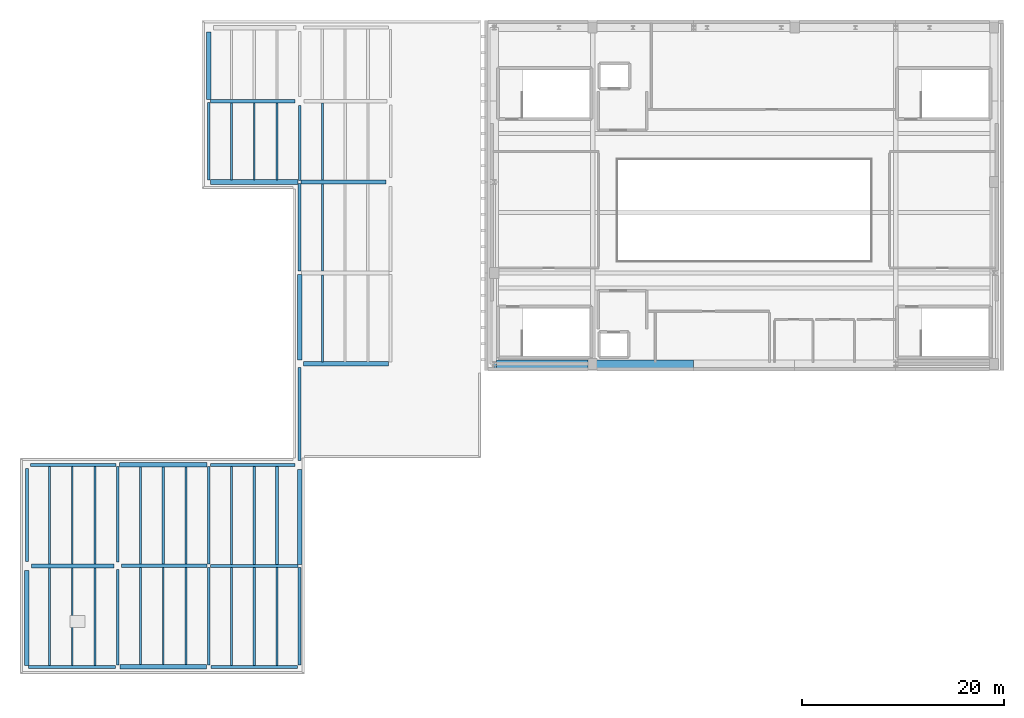
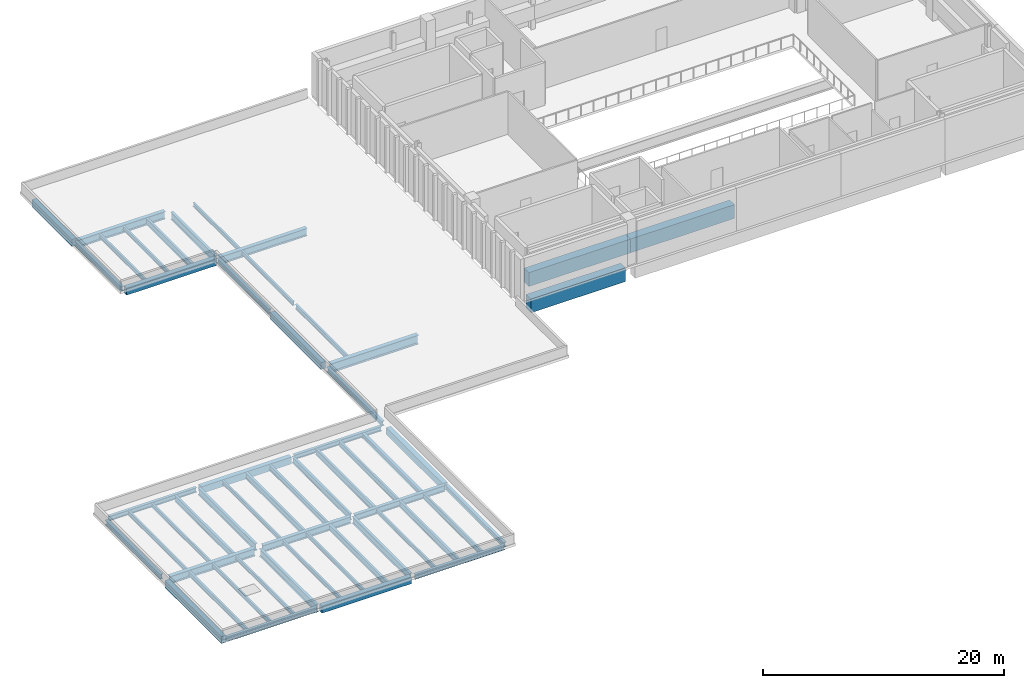
# One storey, part 3 of 8: 54 beams.
"""IFC4 building model written with IfcOpenShell, lengths in metres."""

from ifc_helpers import new_model, si_unit, direction, frame, origin, origin_2d, place, context, subcontext, project, spatial, rectangle, i_section, extrude, material, material_profile, profile_set, type_object, element, save


model = new_model("IFC4")

# Units and contexts
model_context = context("Model", 3, precision=1e-05, world=origin(), true_north=direction((0.0, 1.0)))
body_context = subcontext(model_context, "Body", "Model", "MODEL_VIEW")
ifc_project = project(units=[si_unit("LENGTHUNIT", "METRE"), si_unit("AREAUNIT", "SQUARE_METRE"), si_unit("VOLUMEUNIT", "CUBIC_METRE"), si_unit("PLANEANGLEUNIT", "RADIAN"), si_unit("MASSUNIT", "GRAM", prefix="KILO")], contexts=[model_context])

# Site, building, storey
site_placement = place(None, origin())
site = spatial("IfcSite", under=ifc_project, at=site_placement, CompositionType="ELEMENT")
building_placement = place(site_placement, origin())
building = spatial("IfcBuilding", under=site, at=building_placement, Name="Trimount Lyric Opera House", CompositionType="ELEMENT")
storey_placement = place(building_placement, frame((0.0, 0.0, 29.60009765625)))
storey = spatial("IfcBuildingStorey", under=building, at=storey_placement, Name="L06", CompositionType="ELEMENT", Elevation=29.60009765625)

# Beams
ifc_material_1 = material(Name="Steel ASTM A992 Grade 50", Category="steel")
ifc_material_profile_1 = material_profile(ifc_material_1, i_section(OverallWidth=0.4189453125, OverallDepth=0.927001953125, WebThickness=0.019287109375, FlangeThickness=0.031982421875, FilletRadius=0.02392578125, at=origin_2d()), Name="W36X231")
ifc_profile_set_1 = profile_set([ifc_material_profile_1], Name="Steel ASTM A992 Grade 50")
beam_type_1 = type_object("IfcBeamType", Name="B-02", PredefinedType="BEAM", material=ifc_profile_set_1)
beam_1_placement = place(storey_placement, frame((45.375, 84.0, -0.733642578125), z_axis=(1.0, 0.0, 0.0), x_axis=(0.0, 1.0, 0.0)))
element("IfcBeam", 1, at=beam_1_placement, inside=storey, type_object=beam_type_1, Name="L06 girder X-1347", PredefinedType="BEAM", context=body_context, shape_type="SweptSolid", body=[
    extrude(i_section(OverallWidth=0.4189453125, OverallDepth=0.927001953125, WebThickness=0.019287109375, FlangeThickness=0.031982421875, FilletRadius=0.02392578125, at=origin_2d()), origin(), (0.0, 0.0, 1.0), 8.44091796875),
])
ifc_material_2 = material(Name="Steel ASTM A992 Grade 50", Category="steel")
ifc_material_profile_2 = material_profile(ifc_material_2, i_section(OverallWidth=0.382080078125, OverallDepth=0.779052734375, WebThickness=0.01806640625, FlangeThickness=0.0302734375, FilletRadius=0.01904296875, at=origin_2d()), Name="W30X191")
ifc_profile_set_2 = profile_set([ifc_material_profile_2], Name="Steel ASTM A992 Grade 50")
beam_type_2 = type_object("IfcBeamType", Name="B-06", PredefinedType="BEAM", material=ifc_profile_set_2)
beam_2_placement = place(storey_placement, frame((18.449951171875, 64.0, -0.65966796875), z_axis=(1.0, 0.0, 0.0), x_axis=(0.0, 1.0, 0.0)))
element("IfcBeam", 2, at=beam_2_placement, inside=storey, type_object=beam_type_2, Name="L06 girder X-1341", PredefinedType="BEAM", context=body_context, shape_type="SweptSolid", body=[
    extrude(i_section(OverallWidth=0.382080078125, OverallDepth=0.779052734375, WebThickness=0.01806640625, FlangeThickness=0.0302734375, FilletRadius=0.01904296875, at=origin_2d()), origin(), (0.0, 0.0, 1.0), 8.175048828125),
])
for number, where, z_axis, x_axis, name in (
    (3, (45.152587890625, 102.0, -0.65966796875), (1.0, 0.0, 0.0), (0.0, 1.0, 0.0), "L06 girder X-1354"),
    (4, (36.152587890625, 110.0, -0.65966796875), (1.0, 0.0, 0.0), (0.0, 1.0, 0.0), "L06 girder X-1355"),
):
    element("IfcBeam", number, at=place(storey_placement, frame(where, z_axis=z_axis, x_axis=x_axis)), inside=storey, type_object=beam_type_2, Name=name, PredefinedType="BEAM", context=body_context, shape_type="SweptSolid", body=[
        extrude(i_section(OverallWidth=0.382080078125, OverallDepth=0.779052734375, WebThickness=0.01806640625, FlangeThickness=0.0302734375, FilletRadius=0.01904296875, at=origin_2d()), origin(), (0.0, 0.0, 1.0), 8.3974609375),
    ])
ifc_material_3 = material(Name="Steel ASTM A992 Grade 50", Category="steel")
ifc_material_profile_3 = material_profile(ifc_material_3, i_section(OverallWidth=0.26708984375, OverallDepth=0.761962890625, WebThickness=0.014404296875, FlangeThickness=0.021484375, FilletRadius=0.01708984375, at=origin_2d()), Name="W30X116")
ifc_profile_set_3 = profile_set([ifc_material_profile_3], Name="Steel ASTM A992 Grade 50")
beam_type_3 = type_object("IfcBeamType", Name="B-07", PredefinedType="BEAM", material=ifc_profile_set_3)
beam_3_placement = place(storey_placement, frame((27.0, 54.203125, -0.651123046875), z_axis=(0.0, 1.0, 0.0), x_axis=(-1.0, 0.0, 0.0)))
element("IfcBeam", 5, at=beam_3_placement, inside=storey, type_object=beam_type_3, Name="L06 girder Y-1366", PredefinedType="BEAM", context=body_context, shape_type="SweptSolid", body=[
    extrude(i_section(OverallWidth=0.26708984375, OverallDepth=0.761962890625, WebThickness=0.014404296875, FlangeThickness=0.021484375, FilletRadius=0.01708984375, at=origin_2d()), origin(), (0.0, 0.0, 1.0), 9.421875),
])
beam_4_placement = place(storey_placement, frame((45.0, 102.153564453125, -0.651123046875), z_axis=(0.0, 1.0, 0.0), x_axis=(-1.0, 0.0, 0.0)))
element("IfcBeam", 6, at=beam_4_placement, inside=storey, type_object=beam_type_3, Name="L06 girder Y-1377", PredefinedType="BEAM", context=body_context, shape_type="SweptSolid", body=[
    extrude(i_section(OverallWidth=0.26708984375, OverallDepth=0.761962890625, WebThickness=0.014404296875, FlangeThickness=0.021484375, FilletRadius=0.01708984375, at=origin_2d()), origin(), (0.0, 0.0, 1.0), 7.396484375),
])
ifc_material_4 = material(Name="Steel ASTM A992 Grade 50", Category="steel")
ifc_material_profile_4 = material_profile(ifc_material_4, i_section(OverallWidth=0.35595703125, OverallDepth=0.700927734375, WebThickness=0.016845703125, FlangeThickness=0.02734375, FilletRadius=0.01806640625, at=origin_2d()), Name="W27X161")
ifc_profile_set_4 = profile_set([ifc_material_profile_4], Name="Steel ASTM A992 Grade 50")
beam_type_4 = type_object("IfcBeamType", Name="B-08", PredefinedType="BEAM", material=ifc_profile_set_4)
beam_5_placement = place(storey_placement, frame((27.375, 64.0, -0.62060546875), z_axis=(1.0, 0.0, 0.0), x_axis=(0.0, 1.0, 0.0)))
element("IfcBeam", 7, at=beam_5_placement, inside=storey, type_object=beam_type_4, Name="L06 girder X-1342", PredefinedType="BEAM", context=body_context, shape_type="SweptSolid", body=[
    extrude(i_section(OverallWidth=0.35595703125, OverallDepth=0.700927734375, WebThickness=0.016845703125, FlangeThickness=0.02734375, FilletRadius=0.01806640625, at=origin_2d()), origin(), (0.0, 0.0, 1.0), 8.44091796875),
])
ifc_material_5 = material(Name="Steel ASTM A992 Grade 50", Category="steel")
ifc_material_profile_5 = material_profile(ifc_material_5, i_section(OverallWidth=0.25390625, OverallDepth=0.68798828125, WebThickness=0.01318359375, FlangeThickness=0.02099609375, FilletRadius=0.01611328125, at=origin_2d()), Name="W27X102")
ifc_profile_set_5 = profile_set([ifc_material_profile_5], Name="Steel ASTM A992 Grade 50")
beam_type_5 = type_object("IfcBeamType", Name="B-09", PredefinedType="BEAM", material=ifc_profile_set_5)
beam_6_placement = place(storey_placement, frame((27.0, 64.375, -0.614013671875), z_axis=(0.0, 1.0, 0.0), x_axis=(-1.0, 0.0, 0.0)))
element("IfcBeam", 8, at=beam_6_placement, inside=storey, type_object=beam_type_5, Name="L06 girder Y-1367", PredefinedType="BEAM", context=body_context, shape_type="SweptSolid", body=[
    extrude(i_section(OverallWidth=0.25390625, OverallDepth=0.68798828125, WebThickness=0.01318359375, FlangeThickness=0.02099609375, FilletRadius=0.01611328125, at=origin_2d()), origin(), (0.0, 0.0, 1.0), 9.447021484375),
])
beam_7_placement = place(storey_placement, frame((36.0, 54.20849609375, -0.614013671875), z_axis=(0.0, 1.0, 0.0), x_axis=(-1.0, 0.0, 0.0)))
element("IfcBeam", 9, at=beam_7_placement, inside=storey, type_object=beam_type_5, Name="L06 girder Y-1368", PredefinedType="BEAM", context=body_context, shape_type="SweptSolid", body=[
    extrude(i_section(OverallWidth=0.25390625, OverallDepth=0.68798828125, WebThickness=0.01318359375, FlangeThickness=0.02099609375, FilletRadius=0.01611328125, at=origin_2d()), origin(), (0.0, 0.0, 1.0), 9.613525390625),
])
ifc_material_6 = material(Name="Steel ASTM A992 Grade 50", Category="steel")
ifc_material_profile_6 = material_profile(ifc_material_6, i_section(OverallWidth=0.327880859375, OverallDepth=0.626953125, WebThickness=0.0166015625, FlangeThickness=0.027587890625, FilletRadius=0.01611328125, at=origin_2d()), Name="W24X146")
ifc_profile_set_6 = profile_set([ifc_material_profile_6], Name="Steel ASTM A992 Grade 50")
beam_type_6 = type_object("IfcBeamType", Name="B-10", PredefinedType="BEAM", material=ifc_profile_set_6)
beam_8_placement = place(storey_placement, frame((36.18408203125, 64.0, -0.58349609375), z_axis=(1.0, 0.0, 0.0), x_axis=(0.0, 1.0, 0.0)))
element("IfcBeam", 10, at=beam_8_placement, inside=storey, type_object=beam_type_6, Name="L06 girder X-1343", PredefinedType="BEAM", context=body_context, shape_type="SweptSolid", body=[
    extrude(i_section(OverallWidth=0.327880859375, OverallDepth=0.626953125, WebThickness=0.0166015625, FlangeThickness=0.027587890625, FilletRadius=0.01611328125, at=origin_2d()), origin(), (0.0, 0.0, 1.0), 8.663330078125),
])
ifc_material_7 = material(Name="Steel ASTM A992 Grade 50", Category="steel")
ifc_material_profile_7 = material_profile(ifc_material_7, i_section(OverallWidth=0.22998046875, OverallDepth=0.616943359375, WebThickness=0.01318359375, FlangeThickness=0.022216796875, FilletRadius=0.013916015625, at=origin_2d()), Name="W24X94")
ifc_profile_set_7 = profile_set([ifc_material_profile_7], Name="Steel ASTM A992 Grade 50")
beam_type_7 = type_object("IfcBeamType", Name="B-11", PredefinedType="BEAM", material=ifc_profile_set_7)
beam_9_placement = place(storey_placement, frame((36.0, 64.177978515625, -0.57861328125), z_axis=(0.0, 1.0, 0.0), x_axis=(-1.0, 0.0, 0.0)))
element("IfcBeam", 11, at=beam_9_placement, inside=storey, type_object=beam_type_7, Name="L06 girder Y-1369", PredefinedType="BEAM", context=body_context, shape_type="SweptSolid", body=[
    extrude(i_section(OverallWidth=0.22998046875, OverallDepth=0.616943359375, WebThickness=0.01318359375, FlangeThickness=0.022216796875, FilletRadius=0.013916015625, at=origin_2d()), origin(), (0.0, 0.0, 1.0), 9.66845703125),
])
ifc_material_8 = material(Name="Steel ASTM A992 Grade 50", Category="steel")
ifc_material_profile_8 = material_profile(ifc_material_8, i_section(OverallWidth=0.22802734375, OverallDepth=0.60205078125, WebThickness=0.010498046875, FlangeThickness=0.014892578125, FilletRadius=0.012939453125, at=origin_2d()), Name="W24X68")
ifc_profile_set_8 = profile_set([ifc_material_profile_8], Name="Steel ASTM A992 Grade 50")
beam_type_8 = type_object("IfcBeamType", Name="J-01", PredefinedType="BEAM", material=ifc_profile_set_8)
beam_10_placement = place(storey_placement, frame((24.75, 64.18701171875, -0.571044921875), z_axis=(0.0, 1.0, 0.0), x_axis=(-1.0, 0.0, 0.0)))
element("IfcBeam", 12, at=beam_10_placement, inside=storey, type_object=beam_type_8, Name="L06 composite floor joist 1306", PredefinedType="BEAM", context=body_context, shape_type="SweptSolid", body=[
    extrude(i_section(OverallWidth=0.22802734375, OverallDepth=0.60205078125, WebThickness=0.010498046875, FlangeThickness=0.014892578125, FilletRadius=0.012939453125, at=origin_2d()), origin(), (0.0, 0.0, 1.0), 9.676025390625),
])
for number, where, z_axis, x_axis, name in (
    (13, (33.75, 54.220947265625, -0.571044921875), (0.0, 1.0, 0.0), (-1.0, 0.0, 0.0), "L06 composite floor joist 1309"),
    (14, (31.5, 64.174072265625, -0.571044921875), (0.0, 1.0, 0.0), (-1.0, 0.0, 0.0), "L06 composite floor joist 1311"),
):
    element("IfcBeam", number, at=place(storey_placement, frame(where, z_axis=z_axis, x_axis=x_axis)), inside=storey, type_object=beam_type_8, Name=name, PredefinedType="BEAM", context=body_context, shape_type="SweptSolid", body=[
        extrude(i_section(OverallWidth=0.22802734375, OverallDepth=0.60205078125, WebThickness=0.010498046875, FlangeThickness=0.014892578125, FilletRadius=0.012939453125, at=origin_2d()), origin(), (0.0, 0.0, 1.0), 9.60498046875),
    ])
for number, where, z_axis, x_axis, name in (
    (15, (40.5, 54.136962890625, -0.571044921875), (0.0, 1.0, 0.0), (-1.0, 0.0, 0.0), "L06 composite floor joist 1314"),
    (16, (38.25, 64.159912109375, -0.571044921875), (0.0, 1.0, 0.0), (-1.0, 0.0, 0.0), "L06 composite floor joist 1316"),
):
    element("IfcBeam", number, at=place(storey_placement, frame(where, z_axis=z_axis, x_axis=x_axis)), inside=storey, type_object=beam_type_8, Name=name, PredefinedType="BEAM", context=body_context, shape_type="SweptSolid", body=[
        extrude(i_section(OverallWidth=0.22802734375, OverallDepth=0.60205078125, WebThickness=0.010498046875, FlangeThickness=0.014892578125, FilletRadius=0.012939453125, at=origin_2d()), origin(), (0.0, 0.0, 1.0), 9.703125),
    ])
beam_11_placement = place(storey_placement, frame((42.75, 102.220947265625, -0.571044921875), z_axis=(0.0, 1.0, 0.0), x_axis=(-1.0, 0.0, 0.0)))
element("IfcBeam", 17, at=beam_11_placement, inside=storey, type_object=beam_type_8, Name="L06 composite floor joist 1321", PredefinedType="BEAM", context=body_context, shape_type="SweptSolid", body=[
    extrude(i_section(OverallWidth=0.22802734375, OverallDepth=0.60205078125, WebThickness=0.010498046875, FlangeThickness=0.014892578125, FilletRadius=0.012939453125, at=origin_2d()), origin(), (0.0, 0.0, 1.0), 7.592041015625),
])
ifc_material_9 = material(Name="Steel ASTM A992 Grade 50", Category="steel")
ifc_material_profile_9 = material_profile(ifc_material_9, i_section(OverallWidth=0.2099609375, OverallDepth=0.532958984375, WebThickness=0.01025390625, FlangeThickness=0.015625, FilletRadius=0.012939453125, at=origin_2d()), Name="W21X62")
ifc_profile_set_9 = profile_set([ifc_material_profile_9], Name="Steel ASTM A992 Grade 50")
beam_type_9 = type_object("IfcBeamType", Name="J-02", PredefinedType="BEAM", material=ifc_profile_set_9)
beam_12_placement = place(storey_placement, frame((33.75, 64.174072265625, -0.53662109375), z_axis=(0.0, 1.0, 0.0), x_axis=(-1.0, 0.0, 0.0)))
element("IfcBeam", 18, at=beam_12_placement, inside=storey, type_object=beam_type_9, Name="L06 composite floor joist 1312", PredefinedType="BEAM", context=body_context, shape_type="SweptSolid", body=[
    extrude(i_section(OverallWidth=0.2099609375, OverallDepth=0.532958984375, WebThickness=0.01025390625, FlangeThickness=0.015625, FilletRadius=0.012939453125, at=origin_2d()), origin(), (0.0, 0.0, 1.0), 9.60498046875),
])
for number, where, z_axis, x_axis, name in (
    (19, (42.75, 54.136962890625, -0.53662109375), (0.0, 1.0, 0.0), (-1.0, 0.0, 0.0), "L06 composite floor joist 1315"),
    (20, (40.5, 64.159912109375, -0.53662109375), (0.0, 1.0, 0.0), (-1.0, 0.0, 0.0), "L06 composite floor joist 1317"),
):
    element("IfcBeam", number, at=place(storey_placement, frame(where, z_axis=z_axis, x_axis=x_axis)), inside=storey, type_object=beam_type_9, Name=name, PredefinedType="BEAM", context=body_context, shape_type="SweptSolid", body=[
        extrude(i_section(OverallWidth=0.2099609375, OverallDepth=0.532958984375, WebThickness=0.01025390625, FlangeThickness=0.015625, FilletRadius=0.012939453125, at=origin_2d()), origin(), (0.0, 0.0, 1.0), 9.703125),
    ])
ifc_material_10 = material(Name="Steel ASTM A992 Grade 50", Category="steel")
ifc_material_profile_10 = material_profile(ifc_material_10, i_section(OverallWidth=0.281982421875, OverallDepth=0.467041015625, WebThickness=0.01220703125, FlangeThickness=0.01953125, FilletRadius=0.012939453125, at=origin_2d()), Name="W18X86")
ifc_profile_set_10 = profile_set([ifc_material_profile_10], Name="Steel ASTM A992 Grade 50")
beam_type_10 = type_object("IfcBeamType", Name="J-03", PredefinedType="BEAM", material=ifc_profile_set_10)
beam_13_placement = place(storey_placement, frame((42.75, 64.159912109375, -0.503662109375), z_axis=(0.0, 1.0, 0.0), x_axis=(-1.0, 0.0, 0.0)))
element("IfcBeam", 21, at=beam_13_placement, inside=storey, type_object=beam_type_10, Name="L06 composite floor joist 1318", PredefinedType="BEAM", context=body_context, shape_type="SweptSolid", body=[
    extrude(i_section(OverallWidth=0.281982421875, OverallDepth=0.467041015625, WebThickness=0.01220703125, FlangeThickness=0.01953125, FilletRadius=0.012939453125, at=origin_2d()), origin(), (0.0, 0.0, 1.0), 9.703125),
])
ifc_material_11 = material(Name="Steel ASTM A992 Grade 50", Category="steel")
ifc_material_profile_11 = material_profile(ifc_material_11, i_section(OverallWidth=0.19091796875, OverallDepth=0.45703125, WebThickness=0.009033203125, FlangeThickness=0.014404296875, FilletRadius=0.010986328125, at=origin_2d()), Name="W18X50")
ifc_profile_set_11 = profile_set([ifc_material_profile_11], Name="Steel ASTM A992 Grade 50")
beam_type_11 = type_object("IfcBeamType", Name="J-04", PredefinedType="BEAM", material=ifc_profile_set_11)
beam_14_placement = place(storey_placement, frame((20.25, 54.136962890625, -0.49853515625), z_axis=(0.0, 1.0, 0.0), x_axis=(-1.0, 0.0, 0.0)))
element("IfcBeam", 22, at=beam_14_placement, inside=storey, type_object=beam_type_11, Name="L06 composite floor joist 1301", PredefinedType="BEAM", context=body_context, shape_type="SweptSolid", body=[
    extrude(i_section(OverallWidth=0.19091796875, OverallDepth=0.45703125, WebThickness=0.009033203125, FlangeThickness=0.014404296875, FilletRadius=0.010986328125, at=origin_2d()), origin(), (0.0, 0.0, 1.0), 9.676025390625),
])
beam_15_placement = place(storey_placement, frame((47.25, 84.20556640625, -0.49853515625), z_axis=(0.0, 1.0, 0.0), x_axis=(-1.0, 0.0, 0.0)))
element("IfcBeam", 23, at=beam_15_placement, inside=storey, type_object=beam_type_11, Name="L06 composite floor joist 1325", PredefinedType="BEAM", context=body_context, shape_type="SweptSolid", body=[
    extrude(i_section(OverallWidth=0.19091796875, OverallDepth=0.45703125, WebThickness=0.009033203125, FlangeThickness=0.014404296875, FilletRadius=0.010986328125, at=origin_2d()), origin(), (0.0, 0.0, 1.0), 8.597900390625),
])
ifc_material_12 = material(Name="Steel ASTM A992 Grade 50", Category="steel")
ifc_material_profile_12 = material_profile(ifc_material_12, i_section(OverallWidth=0.180908203125, OverallDepth=0.4169921875, WebThickness=0.010986328125, FlangeThickness=0.018310546875, FilletRadius=0.010986328125, at=origin_2d()), Name="W16X57")
ifc_profile_set_12 = profile_set([ifc_material_profile_12], Name="Steel ASTM A992 Grade 50")
beam_type_12 = type_object("IfcBeamType", Name="J-05", PredefinedType="BEAM", material=ifc_profile_set_12)
for number, where, z_axis, x_axis, name in (
    (24, (22.5, 54.136962890625, -0.478515625), (0.0, 1.0, 0.0), (-1.0, 0.0, 0.0), "L06 composite floor joist 1302"),
    (25, (20.25, 64.18701171875, -0.478515625), (0.0, 1.0, 0.0), (-1.0, 0.0, 0.0), "L06 composite floor joist 1304"),
):
    element("IfcBeam", number, at=place(storey_placement, frame(where, z_axis=z_axis, x_axis=x_axis)), inside=storey, type_object=beam_type_12, Name=name, PredefinedType="BEAM", context=body_context, shape_type="SweptSolid", body=[
        extrude(i_section(OverallWidth=0.180908203125, OverallDepth=0.4169921875, WebThickness=0.010986328125, FlangeThickness=0.018310546875, FilletRadius=0.010986328125, at=origin_2d()), origin(), (0.0, 0.0, 1.0), 9.676025390625),
    ])
beam_16_placement = place(storey_placement, frame((29.25, 54.220947265625, -0.478515625), z_axis=(0.0, 1.0, 0.0), x_axis=(-1.0, 0.0, 0.0)))
element("IfcBeam", 26, at=beam_16_placement, inside=storey, type_object=beam_type_12, Name="L06 composite floor joist 1307", PredefinedType="BEAM", context=body_context, shape_type="SweptSolid", body=[
    extrude(i_section(OverallWidth=0.180908203125, OverallDepth=0.4169921875, WebThickness=0.010986328125, FlangeThickness=0.018310546875, FilletRadius=0.010986328125, at=origin_2d()), origin(), (0.0, 0.0, 1.0), 9.60498046875),
])
beam_17_placement = place(storey_placement, frame((38.25, 102.220947265625, -0.478515625), z_axis=(0.0, 1.0, 0.0), x_axis=(-1.0, 0.0, 0.0)))
element("IfcBeam", 27, at=beam_17_placement, inside=storey, type_object=beam_type_12, Name="L06 composite floor joist 1319", PredefinedType="BEAM", context=body_context, shape_type="SweptSolid", body=[
    extrude(i_section(OverallWidth=0.180908203125, OverallDepth=0.4169921875, WebThickness=0.010986328125, FlangeThickness=0.018310546875, FilletRadius=0.010986328125, at=origin_2d()), origin(), (0.0, 0.0, 1.0), 7.592041015625),
])
beam_18_placement = place(storey_placement, frame((47.25, 93.196533203125, -0.478515625), z_axis=(0.0, 1.0, 0.0), x_axis=(-1.0, 0.0, 0.0)))
element("IfcBeam", 28, at=beam_18_placement, inside=storey, type_object=beam_type_12, Name="L06 composite floor joist 1328", PredefinedType="BEAM", context=body_context, shape_type="SweptSolid", body=[
    extrude(i_section(OverallWidth=0.180908203125, OverallDepth=0.4169921875, WebThickness=0.010986328125, FlangeThickness=0.018310546875, FilletRadius=0.010986328125, at=origin_2d()), origin(), (0.0, 0.0, 1.0), 8.616455078125),
])
ifc_material_13 = material(Name="Steel ASTM A992 Grade 50", Category="steel")
ifc_material_profile_13 = material_profile(ifc_material_13, i_section(OverallWidth=0.177978515625, OverallDepth=0.404052734375, WebThickness=0.007568359375, FlangeThickness=0.010986328125, FilletRadius=0.010009765625, at=origin_2d()), Name="W16X36")
ifc_profile_set_13 = profile_set([ifc_material_profile_13], Name="Steel ASTM A992 Grade 50")
beam_type_13 = type_object("IfcBeamType", Name="J-06", PredefinedType="BEAM", material=ifc_profile_set_13)
for number, where, z_axis, x_axis, name in (
    (29, (24.75, 54.136962890625, -0.47216796875), (0.0, 1.0, 0.0), (-1.0, 0.0, 0.0), "L06 composite floor joist 1303"),
    (30, (22.5, 64.18701171875, -0.47216796875), (0.0, 1.0, 0.0), (-1.0, 0.0, 0.0), "L06 composite floor joist 1305"),
):
    element("IfcBeam", number, at=place(storey_placement, frame(where, z_axis=z_axis, x_axis=x_axis)), inside=storey, type_object=beam_type_13, Name=name, PredefinedType="BEAM", context=body_context, shape_type="SweptSolid", body=[
        extrude(i_section(OverallWidth=0.177978515625, OverallDepth=0.404052734375, WebThickness=0.007568359375, FlangeThickness=0.010986328125, FilletRadius=0.010009765625, at=origin_2d()), origin(), (0.0, 0.0, 1.0), 9.676025390625),
    ])
for number, where, z_axis, x_axis, name in (
    (31, (31.5, 54.220947265625, -0.47216796875), (0.0, 1.0, 0.0), (-1.0, 0.0, 0.0), "L06 composite floor joist 1308"),
    (32, (29.25, 64.174072265625, -0.47216796875), (0.0, 1.0, 0.0), (-1.0, 0.0, 0.0), "L06 composite floor joist 1310"),
):
    element("IfcBeam", number, at=place(storey_placement, frame(where, z_axis=z_axis, x_axis=x_axis)), inside=storey, type_object=beam_type_13, Name=name, PredefinedType="BEAM", context=body_context, shape_type="SweptSolid", body=[
        extrude(i_section(OverallWidth=0.177978515625, OverallDepth=0.404052734375, WebThickness=0.007568359375, FlangeThickness=0.010986328125, FilletRadius=0.010009765625, at=origin_2d()), origin(), (0.0, 0.0, 1.0), 9.60498046875),
    ])
beam_19_placement = place(storey_placement, frame((38.25, 54.136962890625, -0.47216796875), z_axis=(0.0, 1.0, 0.0), x_axis=(-1.0, 0.0, 0.0)))
element("IfcBeam", 33, at=beam_19_placement, inside=storey, type_object=beam_type_13, Name="L06 composite floor joist 1313", PredefinedType="BEAM", context=body_context, shape_type="SweptSolid", body=[
    extrude(i_section(OverallWidth=0.177978515625, OverallDepth=0.404052734375, WebThickness=0.007568359375, FlangeThickness=0.010986328125, FilletRadius=0.010009765625, at=origin_2d()), origin(), (0.0, 0.0, 1.0), 9.703125),
])
beam_20_placement = place(storey_placement, frame((40.5, 102.220947265625, -0.47216796875), z_axis=(0.0, 1.0, 0.0), x_axis=(-1.0, 0.0, 0.0)))
element("IfcBeam", 34, at=beam_20_placement, inside=storey, type_object=beam_type_13, Name="L06 composite floor joist 1320", PredefinedType="BEAM", context=body_context, shape_type="SweptSolid", body=[
    extrude(i_section(OverallWidth=0.177978515625, OverallDepth=0.404052734375, WebThickness=0.007568359375, FlangeThickness=0.010986328125, FilletRadius=0.010009765625, at=origin_2d()), origin(), (0.0, 0.0, 1.0), 7.592041015625),
])
beam_21_placement = place(storey_placement, frame((47.25, 102.18701171875, -0.47216796875), z_axis=(0.0, 1.0, 0.0), x_axis=(-1.0, 0.0, 0.0)))
element("IfcBeam", 35, at=beam_21_placement, inside=storey, type_object=beam_type_13, Name="L06 composite floor joist 1331", PredefinedType="BEAM", context=body_context, shape_type="SweptSolid", body=[
    extrude(i_section(OverallWidth=0.177978515625, OverallDepth=0.404052734375, WebThickness=0.007568359375, FlangeThickness=0.010986328125, FilletRadius=0.010009765625, at=origin_2d()), origin(), (0.0, 0.0, 1.0), 7.638916015625),
])
ifc_material_14 = material(Name="Steel ASTM A992 Grade 50", Category="steel")
ifc_material_profile_14 = material_profile(ifc_material_14, i_section(OverallWidth=0.281982421875, OverallDepth=0.467041015625, WebThickness=0.01220703125, FlangeThickness=0.01953125, FilletRadius=0.012939453125, at=origin_2d()), Name="W18X86")
ifc_profile_set_14 = profile_set([ifc_material_profile_14], Name="Steel ASTM A992 Grade 50")
beam_type_14 = type_object("IfcBeamType", Name="SP-01", PredefinedType="SPANDREL", material=ifc_profile_set_14)
beam_22_placement = place(storey_placement, frame((18.152587890625, 54.0, -0.503662109375), z_axis=(1.0, 0.0, 0.0), x_axis=(0.0, 1.0, 0.0)))
element("IfcBeam", 36, at=beam_22_placement, inside=storey, type_object=beam_type_14, Name="L06 girder X-1338", PredefinedType="SPANDREL", context=body_context, shape_type="SweptSolid", body=[
    extrude(i_section(OverallWidth=0.281982421875, OverallDepth=0.467041015625, WebThickness=0.01220703125, FlangeThickness=0.01953125, FilletRadius=0.012939453125, at=origin_2d()), origin(), (0.0, 0.0, 1.0), 8.644287109375),
])
beam_23_placement = place(storey_placement, frame((36.202880859375, 54.0, -0.503662109375), z_axis=(1.0, 0.0, 0.0), x_axis=(0.0, 1.0, 0.0)))
element("IfcBeam", 37, at=beam_23_placement, inside=storey, type_object=beam_type_14, Name="L06 girder X-1340", PredefinedType="SPANDREL", context=body_context, shape_type="SweptSolid", body=[
    extrude(i_section(OverallWidth=0.281982421875, OverallDepth=0.467041015625, WebThickness=0.01220703125, FlangeThickness=0.01953125, FilletRadius=0.012939453125, at=origin_2d()), origin(), (0.0, 0.0, 1.0), 8.593994140625),
])
beam_24_placement = place(storey_placement, frame((18.375, 74.0, -0.503662109375), z_axis=(1.0, 0.0, 0.0), x_axis=(0.0, 1.0, 0.0)))
element("IfcBeam", 38, at=beam_24_placement, inside=storey, type_object=beam_type_14, Name="L06 girder X-1344", PredefinedType="SPANDREL", context=body_context, shape_type="SweptSolid", body=[
    extrude(i_section(OverallWidth=0.281982421875, OverallDepth=0.467041015625, WebThickness=0.01220703125, FlangeThickness=0.01953125, FilletRadius=0.012939453125, at=origin_2d()), origin(), (0.0, 0.0, 1.0), 8.44091796875),
])
beam_25_placement = place(storey_placement, frame((36.152587890625, 74.0, -0.503662109375), z_axis=(1.0, 0.0, 0.0), x_axis=(0.0, 1.0, 0.0)))
element("IfcBeam", 39, at=beam_25_placement, inside=storey, type_object=beam_type_14, Name="L06 girder X-1346", PredefinedType="SPANDREL", context=body_context, shape_type="SweptSolid", body=[
    extrude(i_section(OverallWidth=0.281982421875, OverallDepth=0.467041015625, WebThickness=0.01220703125, FlangeThickness=0.01953125, FilletRadius=0.012939453125, at=origin_2d()), origin(), (0.0, 0.0, 1.0), 8.3974609375),
])
beam_26_placement = place(storey_placement, frame((18.0, 64.449951171875, -0.503662109375), z_axis=(0.0, 1.0, 0.0), x_axis=(-1.0, 0.0, 0.0)))
element("IfcBeam", 40, at=beam_26_placement, inside=storey, type_object=beam_type_14, Name="L06 girder Y-1365", PredefinedType="SPANDREL", context=body_context, shape_type="SweptSolid", body=[
    extrude(i_section(OverallWidth=0.281982421875, OverallDepth=0.467041015625, WebThickness=0.01220703125, FlangeThickness=0.01953125, FilletRadius=0.012939453125, at=origin_2d()), origin(), (0.0, 0.0, 1.0), 9.175048828125),
])
beam_27_placement = place(storey_placement, frame((36.0, 102.177978515625, -0.503662109375), z_axis=(0.0, 1.0, 0.0), x_axis=(-1.0, 0.0, 0.0)))
element("IfcBeam", 41, at=beam_27_placement, inside=storey, type_object=beam_type_14, Name="L06 girder Y-1370", PredefinedType="SPANDREL", context=body_context, shape_type="SweptSolid", body=[
    extrude(i_section(OverallWidth=0.281982421875, OverallDepth=0.467041015625, WebThickness=0.01220703125, FlangeThickness=0.01953125, FilletRadius=0.012939453125, at=origin_2d()), origin(), (0.0, 0.0, 1.0), 7.66845703125),
])
beam_28_placement = place(storey_placement, frame((45.0, 54.203125, -0.503662109375), z_axis=(0.0, 1.0, 0.0), x_axis=(-1.0, 0.0, 0.0)))
element("IfcBeam", 42, at=beam_28_placement, inside=storey, type_object=beam_type_14, Name="L06 girder Y-1372", PredefinedType="SPANDREL", context=body_context, shape_type="SweptSolid", body=[
    extrude(i_section(OverallWidth=0.281982421875, OverallDepth=0.467041015625, WebThickness=0.01220703125, FlangeThickness=0.01953125, FilletRadius=0.012939453125, at=origin_2d()), origin(), (0.0, 0.0, 1.0), 9.643310546875),
])
beam_29_placement = place(storey_placement, frame((45.0, 74.449951171875, -0.503662109375), z_axis=(0.0, 1.0, 0.0), x_axis=(-1.0, 0.0, 0.0)))
element("IfcBeam", 43, at=beam_29_placement, inside=storey, type_object=beam_type_14, Name="L06 girder Y-1374", PredefinedType="SPANDREL", context=body_context, shape_type="SweptSolid", body=[
    extrude(i_section(OverallWidth=0.281982421875, OverallDepth=0.467041015625, WebThickness=0.01220703125, FlangeThickness=0.01953125, FilletRadius=0.012939453125, at=origin_2d()), origin(), (0.0, 0.0, 1.0), 9.175048828125),
])
beam_30_placement = place(storey_placement, frame((45.0, 93.177978515625, -0.503662109375), z_axis=(0.0, 1.0, 0.0), x_axis=(-1.0, 0.0, 0.0)))
element("IfcBeam", 44, at=beam_30_placement, inside=storey, type_object=beam_type_14, Name="L06 girder Y-1376", PredefinedType="SPANDREL", context=body_context, shape_type="SweptSolid", body=[
    extrude(i_section(OverallWidth=0.281982421875, OverallDepth=0.467041015625, WebThickness=0.01220703125, FlangeThickness=0.01953125, FilletRadius=0.012939453125, at=origin_2d()), origin(), (0.0, 0.0, 1.0), 8.66845703125),
])
ifc_material_15 = material(Name="Concrete C40/50", Category="concrete")
ifc_material_profile_15 = material_profile(ifc_material_15, rectangle(XDim=0.449951171875, YDim=0.699951171875, at=origin_2d()), Name="RC450X700")
ifc_profile_set_15 = profile_set([ifc_material_profile_15], Name="Concrete C40/50")
beam_type_15 = type_object("IfcBeamType", Name="SP-02", PredefinedType="SPANDREL", material=ifc_profile_set_15)
beam_31_placement = place(storey_placement, frame((27.203125, 54.0, -0.6201171875), z_axis=(1.0, 0.0, 0.0), x_axis=(0.0, 1.0, 0.0)))
element("IfcBeam", 45, at=beam_31_placement, inside=storey, type_object=beam_type_15, Name="L06 girder X-1339", PredefinedType="SPANDREL", context=body_context, shape_type="SweptSolid", body=[
    extrude(rectangle(XDim=0.449951171875, YDim=0.699951171875, at=origin_2d()), origin(), (0.0, 0.0, 1.0), 8.593994140625),
])
for number, where, z_axis, x_axis, name in (
    (46, (27.18408203125, 74.0, -0.6201171875), (1.0, 0.0, 0.0), (0.0, 1.0, 0.0), "L06 girder X-1345"),
    (47, (36.18408203125, 102.0, -0.6201171875), (1.0, 0.0, 0.0), (0.0, 1.0, 0.0), "L06 girder X-1353"),
):
    element("IfcBeam", number, at=place(storey_placement, frame(where, z_axis=z_axis, x_axis=x_axis)), inside=storey, type_object=beam_type_15, Name=name, PredefinedType="SPANDREL", context=body_context, shape_type="SweptSolid", body=[
        extrude(rectangle(XDim=0.449951171875, YDim=0.699951171875, at=origin_2d()), origin(), (0.0, 0.0, 1.0), 8.663330078125),
    ])
beam_32_placement = place(storey_placement, frame((18.0, 54.153564453125, -0.6201171875), z_axis=(0.0, 1.0, 0.0), x_axis=(-1.0, 0.0, 0.0)))
element("IfcBeam", 48, at=beam_32_placement, inside=storey, type_object=beam_type_15, Name="L06 girder Y-1364", PredefinedType="SPANDREL", context=body_context, shape_type="SweptSolid", body=[
    extrude(rectangle(XDim=0.449951171875, YDim=0.699951171875, at=origin_2d()), origin(), (0.0, 0.0, 1.0), 9.396484375),
])
beam_33_placement = place(storey_placement, frame((36.0, 110.153564453125, -0.6201171875), z_axis=(0.0, 1.0, 0.0), x_axis=(-1.0, 0.0, 0.0)))
element("IfcBeam", 49, at=beam_33_placement, inside=storey, type_object=beam_type_15, Name="L06 girder Y-1371", PredefinedType="SPANDREL", context=body_context, shape_type="SweptSolid", body=[
    extrude(rectangle(XDim=0.449951171875, YDim=0.699951171875, at=origin_2d()), origin(), (0.0, 0.0, 1.0), 6.676513671875),
])
beam_34_placement = place(storey_placement, frame((45.0, 64.153564453125, -0.6201171875), z_axis=(0.0, 1.0, 0.0), x_axis=(-1.0, 0.0, 0.0)))
element("IfcBeam", 50, at=beam_34_placement, inside=storey, type_object=beam_type_15, Name="L06 girder Y-1373", PredefinedType="SPANDREL", context=body_context, shape_type="SweptSolid", body=[
    extrude(rectangle(XDim=0.449951171875, YDim=0.699951171875, at=origin_2d()), origin(), (0.0, 0.0, 1.0), 9.396484375),
])
beam_35_placement = place(storey_placement, frame((45.0, 84.375, -0.6201171875), z_axis=(0.0, 1.0, 0.0), x_axis=(-1.0, 0.0, 0.0)))
element("IfcBeam", 51, at=beam_35_placement, inside=storey, type_object=beam_type_15, Name="L06 girder Y-1375", PredefinedType="SPANDREL", context=body_context, shape_type="SweptSolid", body=[
    extrude(rectangle(XDim=0.449951171875, YDim=0.699951171875, at=origin_2d()), origin(), (0.0, 0.0, 1.0), 8.447021484375),
])
ifc_material_16 = material(Name="Concrete C50/60", Category="concrete")
ifc_material_profile_16 = material_profile(ifc_material_16, rectangle(XDim=0.800048828125, YDim=1.39990234375, at=origin_2d()), Name="RC800X1400")
ifc_profile_set_16 = profile_set([ifc_material_profile_16], Name="Concrete C50/60")
beam_type_16 = type_object("IfcBeamType", Name="TG-04", PredefinedType="USERDEFINED", material=ifc_profile_set_16)
beam_36_placement = place(storey_placement, frame((64.470947265625, 84.0, -0.940185546875), z_axis=(1.0, 0.0, 0.0), x_axis=(0.0, 1.0, 0.0)))
element("IfcBeam", 52, at=beam_36_placement, inside=storey, type_object=beam_type_16, Name="L06 girder X-1348", ObjectType="TRANSFER_GIRDER", PredefinedType="USERDEFINED", context=body_context, shape_type="SweptSolid", body=[
    extrude(rectangle(XDim=0.800048828125, YDim=1.39990234375, at=origin_2d()), origin(), (0.0, 0.0, 1.0), 9.0791015625),
])
beam_37_placement = place(storey_placement, frame((64.260009765625, 84.0, 1.7998046875), z_axis=(1.0, 0.0, 0.0), x_axis=(0.0, 1.0, 0.0)))
element("IfcBeam", 53, at=beam_37_placement, inside=storey, type_object=beam_type_16, Name="L06 fly-tower eave transfer girder S-64", ObjectType="TRANSFER_GIRDER", PredefinedType="USERDEFINED", context=body_context, shape_type="SweptSolid", body=[
    extrude(rectangle(XDim=0.800048828125, YDim=1.39990234375, at=origin_2d()), origin(), (0.0, 0.0, 1.0), 9.739990234375),
])
beam_38_placement = place(storey_placement, frame((74.0, 84.0, 1.7998046875), z_axis=(1.0, 0.0, 0.0), x_axis=(0.0, 1.0, 0.0)))
element("IfcBeam", 54, at=beam_38_placement, inside=storey, type_object=beam_type_16, Name="L06 fly-tower eave transfer girder S-74", ObjectType="TRANSFER_GIRDER", PredefinedType="USERDEFINED", context=body_context, shape_type="SweptSolid", body=[
    extrude(rectangle(XDim=0.800048828125, YDim=1.39990234375, at=origin_2d()), origin(), (0.0, 0.0, 1.0), 10.0),
])

save(model, "model.ifc")
